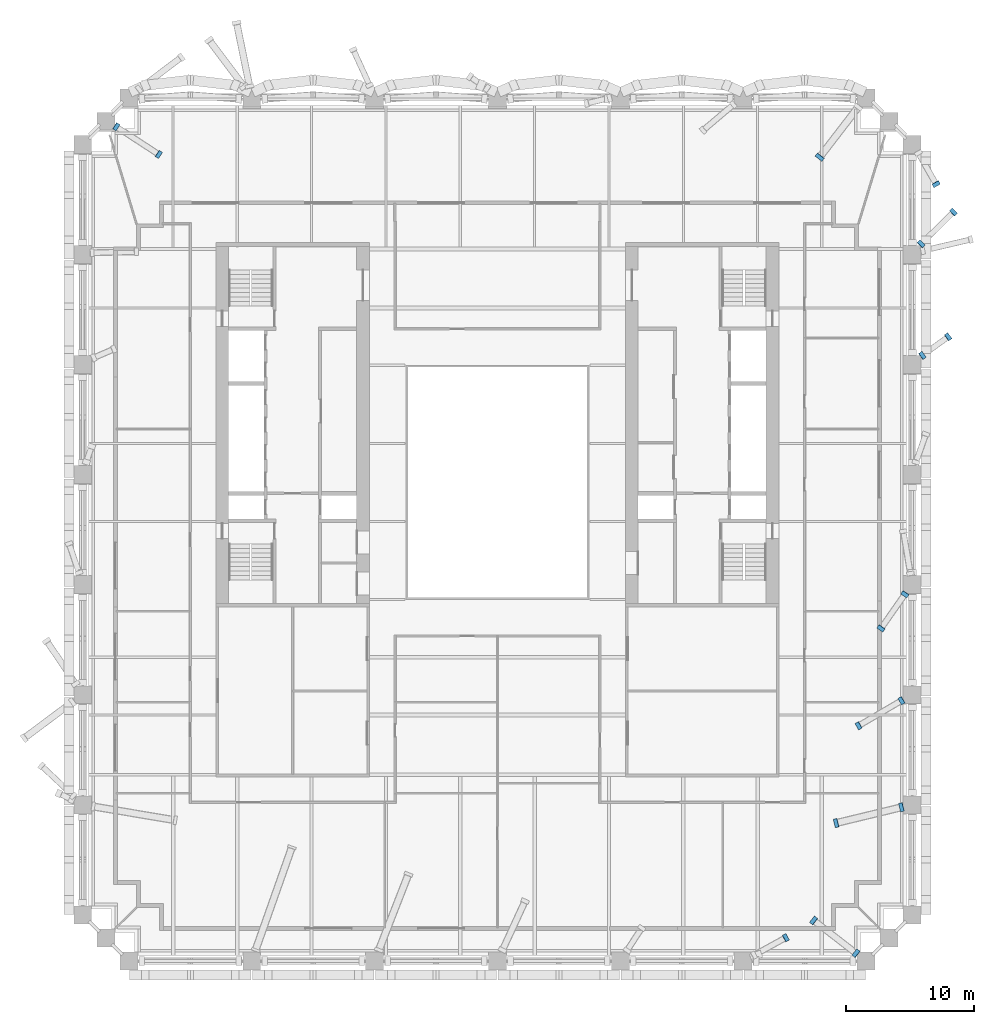
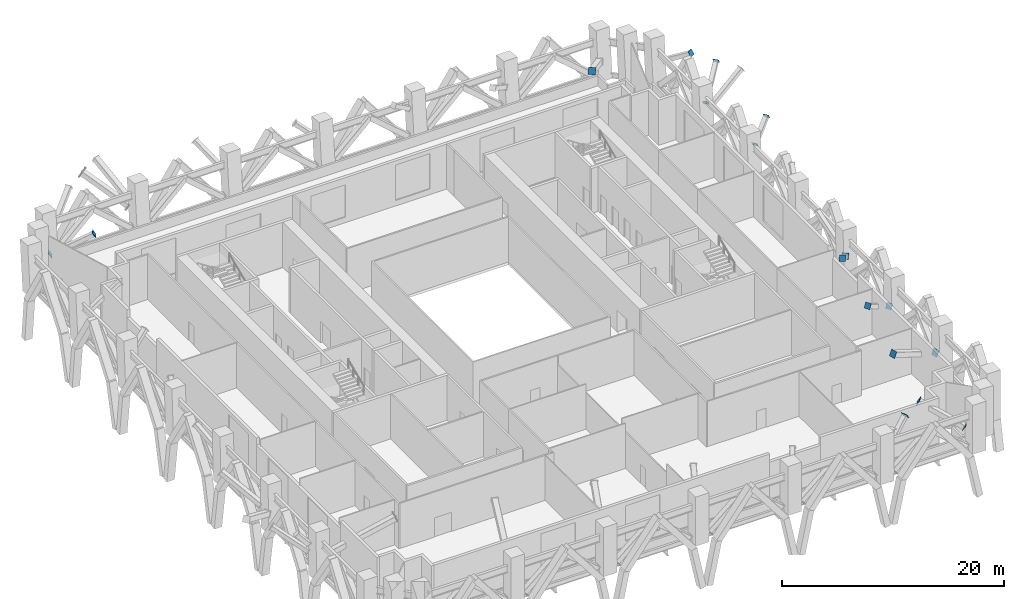
# One storey, part 12 of 19: 17 discrete accessories.
"""IFC4 building model written with IfcOpenShell, lengths in metres."""

from ifc_helpers import new_model, si_unit, direction, frame, origin, origin_2d, place, context, subcontext, project, spatial, rectangle, extrude, material, material_profile, profile_set, type_object, element, save


model = new_model("IFC4")

# Units and contexts
model_context = context("Model", 3, precision=1e-05, world=origin(), true_north=direction((0.0, 1.0)))
body_context = subcontext(model_context, "Body", "Model", "MODEL_VIEW")
ifc_project = project(units=[si_unit("LENGTHUNIT", "METRE"), si_unit("AREAUNIT", "SQUARE_METRE"), si_unit("VOLUMEUNIT", "CUBIC_METRE"), si_unit("PLANEANGLEUNIT", "RADIAN"), si_unit("MASSUNIT", "GRAM", prefix="KILO")], contexts=[model_context])

# Site, building, storey
site_placement = place(None, origin())
site = spatial("IfcSite", under=ifc_project, at=site_placement, CompositionType="ELEMENT")
building_placement = place(site_placement, origin())
building = spatial("IfcBuilding", under=site, at=building_placement, Name="Ogive Exchange Tower", CompositionType="ELEMENT")
storey_placement = place(building_placement, frame((0.0, 0.0, 94.199951171875)))
storey = spatial("IfcBuildingStorey", under=building, at=storey_placement, Name="L20", CompositionType="ELEMENT", Elevation=94.199951171875)

# Discrete accessories
ifc_material = material(Name="Steel ASTM A572 Gr50", Category="steel")
ifc_material_profile_1 = material_profile(ifc_material, rectangle(XDim=0.576904296875, YDim=0.576904296875, at=origin_2d()), Name="PL 577 x 577 x 25")
ifc_profile_set_1 = profile_set([ifc_material_profile_1], Name="Steel ASTM A572 Gr50")
discrete_accessory_type_1 = type_object("IfcDiscreteAccessoryType", Name="Gusset plate 577 x 577 x 25", PredefinedType="USERDEFINED", material=ifc_profile_set_1)
for number, where, z_axis, x_axis, name in (
    (1, (31.573486328125, -10.048583984375, 2.35546875), (-0.729635506772, -0.437781304063, 0.525337564876), (0.514495755428, -0.857492925713, 0.0), "Block-change strut 10 end plate A"),
    (2, (28.225341796875, -12.009033203125, 4.742431640625), (-0.740943482061, -0.428967279088, 0.516710586174), (0.501036270542, -0.865426285481, 0.0), "Block-change strut 10 end plate B"),
    (3, (31.84130859375, -1.731689453125, 2.72216796875), (-0.485642931179, -0.699325820897, 0.524494365673), (0.821369965673, -0.570395809495, 0.0), "Block-change strut 11 end plate A"),
):
    element("IfcDiscreteAccessory", number, at=place(storey_placement, frame(where, z_axis=z_axis, x_axis=x_axis)), inside=storey, type_object=discrete_accessory_type_1, Name=name, ObjectType="GUSSET PLATE", PredefinedType="USERDEFINED", context=body_context, shape_type="SweptSolid", body=[
        extrude(rectangle(XDim=0.576904296875, YDim=0.576904296875, at=origin_2d()), origin(), (0.0, 0.0, 1.0), 0.025146484375),
    ])
for number, where, z_axis, x_axis, name in (
    (4, (29.9736328125, -4.40234375, 4.74267578125), (-0.488952251548, -0.694312197198, 0.528068431672), (0.817605639393, -0.575778619291, 0.0), "Block-change strut 11 end plate B"),
    (5, (33.192626953125, 16.91455078125, 3.201904296875), (0.685846154529, 0.499687912585, 0.529081319208), (-0.588858018681, 0.808236496228, 0.0), "Block-change strut 14 end plate A"),
):
    element("IfcDiscreteAccessory", number, at=place(storey_placement, frame(where, z_axis=z_axis, x_axis=x_axis)), inside=storey, type_object=discrete_accessory_type_1, Name=name, ObjectType="GUSSET PLATE", PredefinedType="USERDEFINED", context=body_context, shape_type="SweptSolid", body=[
        extrude(rectangle(XDim=0.576904296875, YDim=0.576904296875, at=origin_2d()), origin(), (0.0, 0.0, 1.0), 0.02490234375),
    ])
for number, where, z_axis, x_axis, name in (
    (6, (35.2080078125, 18.3681640625, 4.74267578125), (0.690983250062, 0.49634008103, 0.525536556385), (-0.583400315193, 0.812184752524, 0.0), "Block-change strut 14 end plate B"),
    (7, (34.271484375, 30.316650390625, 4.74267578125), (0.418820131593, -0.740240232584, 0.525960165257), (0.870349468157, 0.49243456751, 0.0), "Block-change strut 16 end plate B"),
    (8, (-29.78857421875, 34.794189453125, 2.354248046875), (0.719124765772, -0.466459307528, 0.515048818729), (0.544191105099, 0.838961287028, 0.0), "Block-change strut 24 end plate A"),
):
    element("IfcDiscreteAccessory", number, at=place(storey_placement, frame(where, z_axis=z_axis, x_axis=x_axis)), inside=storey, type_object=discrete_accessory_type_1, Name=name, ObjectType="GUSSET PLATE", PredefinedType="USERDEFINED", context=body_context, shape_type="SweptSolid", body=[
        extrude(rectangle(XDim=0.576904296875, YDim=0.576904296875, at=origin_2d()), origin(), (0.0, 0.0, 1.0), 0.025146484375),
    ])
for number, where, z_axis, x_axis, name in (
    (9, (-26.47021484375, 32.631591796875, 4.741455078125), (0.714382842878, -0.469731184358, 0.518661516062), (0.549406263377, 0.835555358886, 0.0), "Block-change strut 24 end plate B"),
    (10, (22.520263671875, -28.5791015625, 4.74267578125), (0.746210581762, 0.40256097174, 0.530202255463), (-0.47479024257, 0.880098986228, 0.0), "Block-change strut 31 end plate B"),
    (11, (33.101318359375, 25.618896484375, 2.541748046875), (0.599365694191, 0.599365694191, 0.530586024366), (-0.707106781187, 0.707106781187, 0.0), "Block-change strut 32 end plate A"),
    (12, (35.615966796875, 28.12451171875, 4.74267578125), (0.605606222765, 0.595838380462, 0.527463484344), (-0.70133476746, 0.712832058729, 0.0), "Block-change strut 32 end plate B"),
):
    element("IfcDiscreteAccessory", number, at=place(storey_placement, frame(where, z_axis=z_axis, x_axis=x_axis)), inside=storey, type_object=discrete_accessory_type_1, Name=name, ObjectType="GUSSET PLATE", PredefinedType="USERDEFINED", context=body_context, shape_type="SweptSolid", body=[
        extrude(rectangle(XDim=0.576904296875, YDim=0.576904296875, at=origin_2d()), origin(), (0.0, 0.0, 1.0), 0.02490234375),
    ])
ifc_material_profile_2 = material_profile(ifc_material, rectangle(XDim=0.6279296875, YDim=0.6279296875, at=origin_2d()), Name="PL 628 x 628 x 25")
ifc_profile_set_2 = profile_set([ifc_material_profile_2], Name="Steel ASTM A572 Gr50")
discrete_accessory_type_2 = type_object("IfcDiscreteAccessoryType", Name="Gusset plate 628 x 628 x 25", PredefinedType="USERDEFINED", material=ifc_profile_set_2)
for number, where, z_axis, x_axis, name in (
    (13, (28.023681640625, -29.79833984375, 2.329345703125), (-0.682285838501, 0.536081730251, 0.497093968051), (-0.617821551932, -0.786318338822, 0.0), "Block-change strut 8 end plate A"),
    (14, (24.71484375, -27.2333984375, 4.717041015625), (-0.687443802726, 0.532526889436, 0.493797661113), (-0.61239774191, -0.790549812284, 0.0), "Block-change strut 8 end plate B"),
):
    element("IfcDiscreteAccessory", number, at=place(storey_placement, frame(where, z_axis=z_axis, x_axis=x_axis)), inside=storey, type_object=discrete_accessory_type_2, Name=name, ObjectType="GUSSET PLATE", PredefinedType="USERDEFINED", context=body_context, shape_type="SweptSolid", body=[
        extrude(rectangle(XDim=0.6279296875, YDim=0.6279296875, at=origin_2d()), origin(), (0.0, 0.0, 1.0), 0.025146484375),
    ])
ifc_material_profile_3 = material_profile(ifc_material, rectangle(XDim=0.678955078125, YDim=0.678955078125, at=origin_2d()), Name="PL 679 x 679 x 25")
ifc_profile_set_3 = profile_set([ifc_material_profile_3], Name="Steel ASTM A572 Gr50")
discrete_accessory_type_3 = type_object("IfcDiscreteAccessoryType", Name="Gusset plate 679 x 679 x 25", PredefinedType="USERDEFINED", material=ifc_profile_set_3)
discrete_accessory_1_placement = place(storey_placement, frame((31.578857421875, -18.381591796875, 2.295654296875), z_axis=(-0.883287024466, -0.213541918003, 0.417377385187), x_axis=(0.234988560365, -0.971998136057, 0.0)))
element("IfcDiscreteAccessory", 15, at=discrete_accessory_1_placement, inside=storey, type_object=discrete_accessory_type_3, Name="Block-change strut 9 end plate A", ObjectType="GUSSET PLATE", PredefinedType="USERDEFINED", context=body_context, shape_type="SweptSolid", body=[
    extrude(rectangle(XDim=0.678955078125, YDim=0.678955078125, at=origin_2d()), origin(), (0.0, 0.0, 1.0), 0.025146484375),
])
discrete_accessory_2_placement = place(storey_placement, frame((26.474365234375, -19.614501953125, 4.685302734375), z_axis=(-0.884737222917, -0.216269098935, 0.412877370694), x_axis=(0.237453090477, -0.971399006497, 0.0)))
element("IfcDiscreteAccessory", 16, at=discrete_accessory_2_placement, inside=storey, type_object=discrete_accessory_type_3, Name="Block-change strut 9 end plate B", ObjectType="GUSSET PLATE", PredefinedType="USERDEFINED", context=body_context, shape_type="SweptSolid", body=[
    extrude(rectangle(XDim=0.678955078125, YDim=0.678955078125, at=origin_2d()), origin(), (0.0, 0.0, 1.0), 0.02490234375),
])
discrete_accessory_3_placement = place(storey_placement, frame((25.185302734375, 32.419189453125, 4.6875), z_axis=(-0.552966753873, -0.71095725498, 0.434473878043), x_axis=(0.789352217376, -0.613940613515, 0.0)))
element("IfcDiscreteAccessory", 17, at=discrete_accessory_3_placement, inside=storey, type_object=discrete_accessory_type_3, Name="Block-change strut 17 end plate B", ObjectType="GUSSET PLATE", PredefinedType="USERDEFINED", context=body_context, shape_type="SweptSolid", body=[
    extrude(rectangle(XDim=0.678955078125, YDim=0.678955078125, at=origin_2d()), origin(), (0.0, 0.0, 1.0), 0.024658203125),
])

save(model, "model.ifc")
